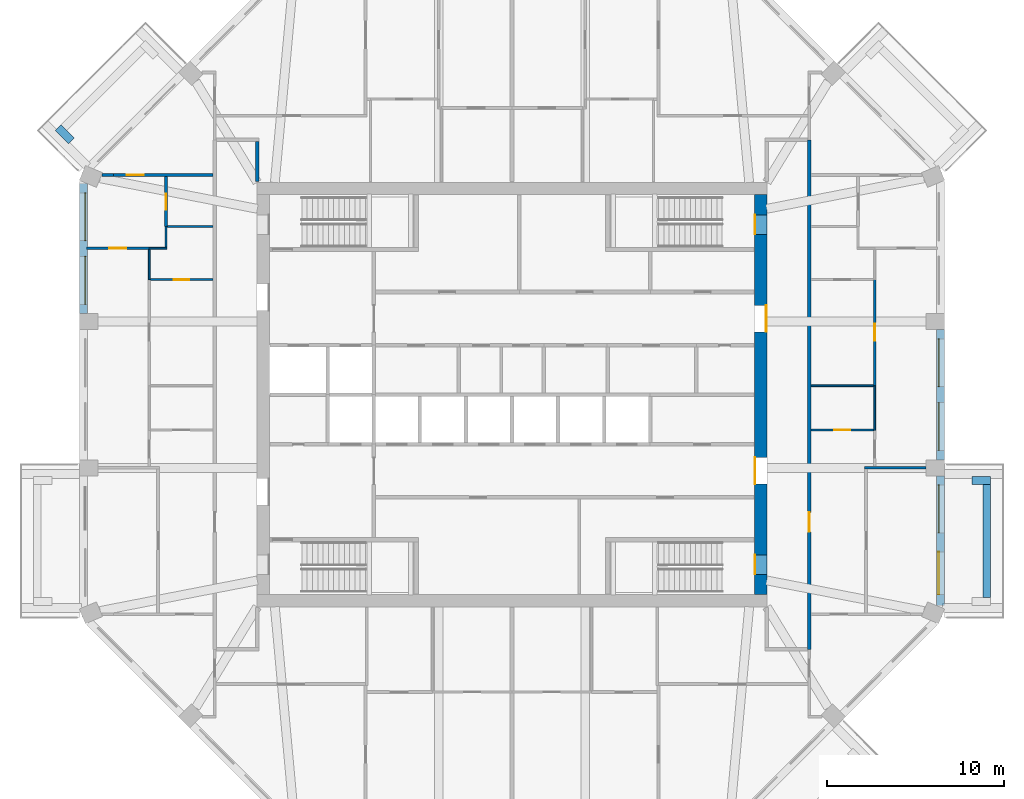
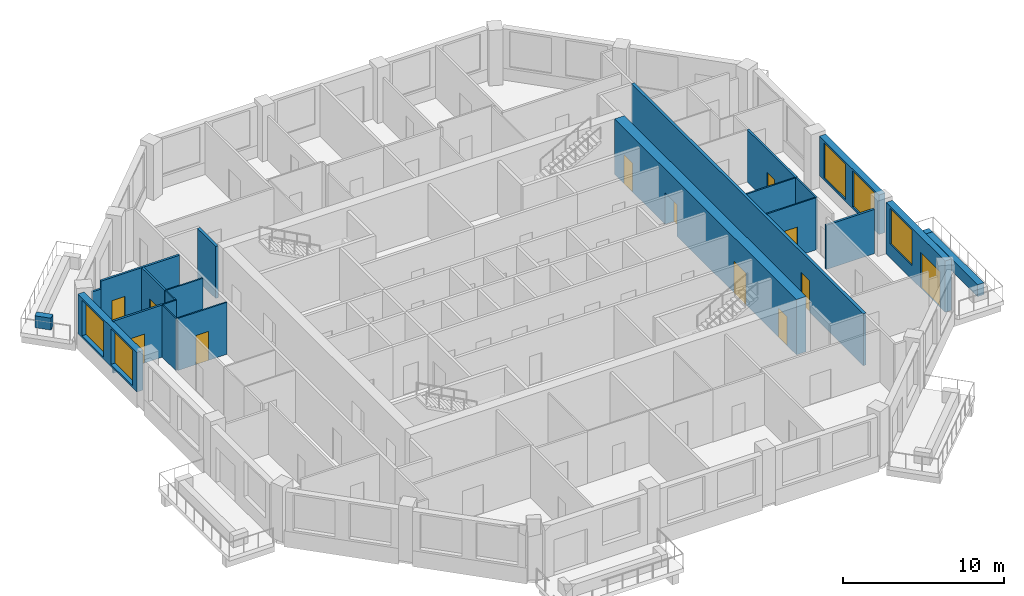
# One storey, part 6 of 10: 23 walls, 12 doors, 5 windows, 17 openings.
"""IFC4 building model written with IfcOpenShell, lengths in metres."""

from ifc_helpers import new_model, si_unit, direction, frame, frame_2d, origin, place, context, subcontext, project, spatial, rectangle, extrude, material, layer, layer_set, type_object, element, fill, save


model = new_model("IFC4")

# Units and contexts
model_context = context("Model", 3, precision=1e-05, world=origin(), true_north=direction((0.0, 1.0)))
body_context = subcontext(model_context, "Body", "Model", "MODEL_VIEW")
ifc_project = project(units=[si_unit("LENGTHUNIT", "METRE"), si_unit("AREAUNIT", "SQUARE_METRE"), si_unit("VOLUMEUNIT", "CUBIC_METRE"), si_unit("PLANEANGLEUNIT", "RADIAN"), si_unit("MASSUNIT", "GRAM", prefix="KILO")], contexts=[model_context])

# Site, building, storey
site_placement = place(None, origin())
site = spatial("IfcSite", under=ifc_project, at=site_placement, CompositionType="ELEMENT")
building_placement = place(site_placement, origin())
building = spatial("IfcBuilding", under=site, at=building_placement, Name="Msitu Wima Residences", CompositionType="ELEMENT")
storey_placement = place(building_placement, frame((0.0, 0.0, 191.699951171875)))
storey = spatial("IfcBuildingStorey", under=building, at=storey_placement, Name="L44", CompositionType="ELEMENT", Elevation=191.699951171875)

# Walls
ifc_material_1 = material(Name="Facing brick")
ifc_layer_1 = layer(ifc_material_1, 0.06494140625, Name="Facing brick")
ifc_material_2 = material(Name="Concrete C40/50", Category="concrete")
ifc_layer_2 = layer(ifc_material_2, 0.156005859375, Name="Concrete C40/50")
ifc_material_3 = material(Name="Waterproofing membrane")
ifc_layer_3 = layer(ifc_material_3, 0.00390625, Name="Waterproofing membrane")
ifc_material_4 = material(Name="Planting soil and planting")
ifc_layer_4 = layer(ifc_material_4, 0.22509765625, Name="Planting soil and planting")
ifc_layer_set_1 = layer_set([ifc_layer_1, ifc_layer_2, ifc_layer_3, ifc_layer_4], Name="Concrete C40/50")
wall_type_1 = type_object("IfcWallType", Name="Balcony planter PLANTER PL450", PredefinedType="USERDEFINED", material=ifc_layer_set_1)
wall_1_placement = place(storey_placement, frame((26.824951171875, -11.461669921875, 0.0), z_axis=(0.0, 0.0, 1.0), x_axis=(0.0, 1.0, 0.0)))
element("IfcWall", 1, at=wall_1_placement, inside=storey, type_object=wall_type_1, Name="Balcony planter E0 L44", ObjectType="PLANTER", PredefinedType="USERDEFINED", context=body_context, shape_type="SweptSolid", body=[
    extrude(rectangle(XDim=6.37451171875, YDim=0.449951171875, at=frame_2d((3.187255859375, 0.0))), origin(), (0.0, 0.0, 1.0), 0.900146484375),
])
for number, where, z_axis, x_axis, name in (
    (2, (26.0, -4.8623046875, 0.0), (0.0, 0.0, 1.0), (1.0, 0.0, 0.0), "Balcony planter E0 L44"),
    (3, (-24.901611328125, 14.338623046875, 0.0), (0.0, 0.0, 1.0), (-0.707106781187, 0.707106781187, 0.0), "Balcony planter NW1 L44"),
):
    element("IfcWall", number, at=place(storey_placement, frame(where, z_axis=z_axis, x_axis=x_axis)), inside=storey, type_object=wall_type_1, Name=name, ObjectType="PLANTER", PredefinedType="USERDEFINED", context=body_context, shape_type="SweptSolid", body=[
        extrude(rectangle(XDim=1.050048828125, YDim=0.449951171875, at=frame_2d((0.52490234375, 0.0))), origin(), (0.0, 0.0, 1.0), 0.900146484375),
    ])

# Wall, openings, door, window
ifc_material_5 = material(Name="Brick (red buff mix)", Category="masonry")
ifc_layer_5 = layer(ifc_material_5, 0.449951171875)
ifc_layer_set_2 = layer_set([ifc_layer_5], Name="Brick (red buff mix)")
wall_type_2 = type_object("IfcWallType", Name="Brick infill wall BW450", PredefinedType="SOLIDWALL", material=ifc_layer_set_2)
wall_2_placement = place(storey_placement, frame((24.22509765625, -11.9248046875, 0.0), z_axis=(0.0, 0.0, 1.0), x_axis=(0.0, 1.0, 0.0)))
wall_2 = element("IfcWall", 4, at=wall_2_placement, inside=storey, type_object=wall_type_2, Name="Brick infill wall L44 E0", PredefinedType="SOLIDWALL", context=body_context, shape_type="SweptSolid", body=[
    extrude(rectangle(XDim=7.337646484375, YDim=0.449951171875, at=frame_2d((3.6689453125, 0.0))), origin(), (0.0, 0.0, 1.0), 3.900146484375),
])
opening_1_placement = place(wall_2_placement, frame((0.63427734375, 0.0, 0.0)))
opening_1 = element("IfcOpeningElement", 5, at=opening_1_placement, cuts=wall_2, Name="Opening D43-45.001", PredefinedType="OPENING", context=body_context, shape_type="SweptSolid", body=[
    extrude(rectangle(XDim=2.39990234375, YDim=2.699951171875, at=frame_2d((1.199951171875, 1.35009765625))), frame((0.0, 0.23486328125, 0.0), z_axis=(0.0, -1.0, 0.0), x_axis=(1.0, 0.0, 0.0)), (0.0, 0.0, 1.0), 0.469970703125),
])
opening_2_placement = place(wall_2_placement, frame((4.11865234375, 0.0, 1.050048828125)))
opening_2 = element("IfcOpeningElement", 6, at=opening_2_placement, cuts=wall_2, Name="Opening W43-45.001", PredefinedType="OPENING", context=body_context, shape_type="SweptSolid", body=[
    extrude(rectangle(XDim=2.699951171875, YDim=2.699951171875, at=frame_2d((1.35009765625, 1.35009765625))), frame((0.0, 0.23486328125, 0.0), z_axis=(0.0, -1.0, 0.0), x_axis=(1.0, 0.0, 0.0)), (0.0, 0.0, 1.0), 0.469970703125),
])
ifc_material_6 = material(Name="Anodised aluminium, bronze finish, clear low-emissivity double glazing", Category="aluminium")
door_type_1 = type_object("IfcDoorType", Name="Balcony door D2400x2700", OperationType="SLIDING_TO_LEFT", PredefinedType="DOOR", material=ifc_material_6)
door_1_placement = place(opening_1_placement, origin())
door_1 = element("IfcDoor", 7, at=door_1_placement, inside=storey, type_object=door_type_1, Name="Balcony door L44 E0", OperationType="SINGLE_SWING_LEFT", OverallHeight=2.699951171875, OverallWidth=2.39990234375, PredefinedType="DOOR", context=body_context, shape_type="SweptSolid", body=[
    extrude(rectangle(XDim=2.39990234375, YDim=2.699951171875, at=frame_2d((1.199951171875, 1.35009765625))), frame((0.0, 0.1298828125, 0.0), z_axis=(0.0, -1.0, 0.0), x_axis=(1.0, 0.0, 0.0)), (0.0, 0.0, 1.0), 0.050048828125),
])
fill(opening_1, door_1)
window_type = type_object("IfcWindowType", Name="Window W2700x2700", PartitioningType="DOUBLE_PANEL_VERTICAL", PredefinedType="WINDOW", material=ifc_material_6)
window_1_placement = place(opening_2_placement, origin())
window_1 = element("IfcWindow", 8, at=window_1_placement, inside=storey, type_object=window_type, Name="Window L44 E0.2", OverallHeight=2.699951171875, OverallWidth=2.699951171875, PartitioningType="SINGLE_PANEL", PredefinedType="WINDOW", context=body_context, shape_type="SweptSolid", body=[
    extrude(rectangle(XDim=2.699951171875, YDim=2.699951171875, at=frame_2d((1.35009765625, 1.35009765625))), frame((0.0, 0.135009765625, 0.0), z_axis=(0.0, -1.0, 0.0), x_axis=(1.0, 0.0, 0.0)), (0.0, 0.0, 1.0), 0.06005859375),
])
fill(opening_2, window_1)

# Wall, openings, windows
wall_3_placement = place(storey_placement, frame((24.22509765625, -3.687255859375, 0.900146484375), z_axis=(0.0, 0.0, 1.0), x_axis=(0.0, 1.0, 0.0)))
wall_3 = element("IfcWall", 9, at=wall_3_placement, inside=storey, type_object=wall_type_2, Name="Brick infill wall L44 E1", PredefinedType="SOLIDWALL", context=body_context, shape_type="SweptSolid", body=[
    extrude(rectangle(XDim=7.37451171875, YDim=0.449951171875, at=frame_2d((3.687255859375, 0.0))), origin(), (0.0, 0.0, 1.0), 3.0),
])
opening_3_placement = place(wall_3_placement, frame((0.537353515625, 0.0, 0.14990234375)))
opening_3 = element("IfcOpeningElement", 10, at=opening_3_placement, cuts=wall_3, Name="Opening W43-45.002", PredefinedType="OPENING", context=body_context, shape_type="SweptSolid", body=[
    extrude(rectangle(XDim=2.699951171875, YDim=2.699951171875, at=frame_2d((1.35009765625, 1.35009765625))), frame((0.0, 0.23486328125, 0.0), z_axis=(0.0, -1.0, 0.0), x_axis=(1.0, 0.0, 0.0)), (0.0, 0.0, 1.0), 0.469970703125),
])
opening_4_placement = place(wall_3_placement, frame((4.13720703125, 0.0, 0.14990234375)))
opening_4 = element("IfcOpeningElement", 11, at=opening_4_placement, cuts=wall_3, Name="Opening W43-45.003", PredefinedType="OPENING", context=body_context, shape_type="SweptSolid", body=[
    extrude(rectangle(XDim=2.699951171875, YDim=2.699951171875, at=frame_2d((1.35009765625, 1.35009765625))), frame((0.0, 0.23486328125, 0.0), z_axis=(0.0, -1.0, 0.0), x_axis=(1.0, 0.0, 0.0)), (0.0, 0.0, 1.0), 0.469970703125),
])
window_2_placement = place(opening_3_placement, origin())
window_2 = element("IfcWindow", 12, at=window_2_placement, inside=storey, type_object=window_type, Name="Window L44 E1.1", OverallHeight=2.699951171875, OverallWidth=2.699951171875, PartitioningType="SINGLE_PANEL", PredefinedType="WINDOW", context=body_context, shape_type="SweptSolid", body=[
    extrude(rectangle(XDim=2.699951171875, YDim=2.699951171875, at=frame_2d((1.35009765625, 1.35009765625))), frame((0.0, 0.135009765625, 0.0), z_axis=(0.0, -1.0, 0.0), x_axis=(1.0, 0.0, 0.0)), (0.0, 0.0, 1.0), 0.06005859375),
])
fill(opening_3, window_2)
window_3_placement = place(opening_4_placement, origin())
window_3 = element("IfcWindow", 13, at=window_3_placement, inside=storey, type_object=window_type, Name="Window L44 E1.2", OverallHeight=2.699951171875, OverallWidth=2.699951171875, PartitioningType="SINGLE_PANEL", PredefinedType="WINDOW", context=body_context, shape_type="SweptSolid", body=[
    extrude(rectangle(XDim=2.699951171875, YDim=2.699951171875, at=frame_2d((1.35009765625, 1.35009765625))), frame((0.0, 0.135009765625, 0.0), z_axis=(0.0, -1.0, 0.0), x_axis=(1.0, 0.0, 0.0)), (0.0, 0.0, 1.0), 0.06005859375),
])
fill(opening_4, window_3)

wall_4_placement = place(storey_placement, frame((-24.22509765625, 11.9248046875, 0.900146484375), z_axis=(0.0, 0.0, 1.0), x_axis=(0.0, -1.0, 0.0)))
wall_4 = element("IfcWall", 14, at=wall_4_placement, inside=storey, type_object=wall_type_2, Name="Brick infill wall L44 W0", PredefinedType="SOLIDWALL", context=body_context, shape_type="SweptSolid", body=[
    extrude(rectangle(XDim=7.337646484375, YDim=0.449951171875, at=frame_2d((3.6689453125, 0.0))), origin(), (0.0, 0.0, 1.0), 3.0),
])
opening_5_placement = place(wall_4_placement, frame((0.518798828125, 0.0, 0.14990234375)))
opening_5 = element("IfcOpeningElement", 15, at=opening_5_placement, cuts=wall_4, Name="Opening W43-45.029", PredefinedType="OPENING", context=body_context, shape_type="SweptSolid", body=[
    extrude(rectangle(XDim=2.699951171875, YDim=2.699951171875, at=frame_2d((1.35009765625, 1.35009765625))), frame((0.0, 0.23486328125, 0.0), z_axis=(0.0, -1.0, 0.0), x_axis=(1.0, 0.0, 0.0)), (0.0, 0.0, 1.0), 0.469970703125),
])
opening_6_placement = place(wall_4_placement, frame((4.11865234375, 0.0, 0.14990234375)))
opening_6 = element("IfcOpeningElement", 16, at=opening_6_placement, cuts=wall_4, Name="Opening W43-45.030", PredefinedType="OPENING", context=body_context, shape_type="SweptSolid", body=[
    extrude(rectangle(XDim=2.699951171875, YDim=2.699951171875, at=frame_2d((1.35009765625, 1.35009765625))), frame((0.0, 0.23486328125, 0.0), z_axis=(0.0, -1.0, 0.0), x_axis=(1.0, 0.0, 0.0)), (0.0, 0.0, 1.0), 0.469970703125),
])
window_4_placement = place(opening_5_placement, origin())
window_4 = element("IfcWindow", 17, at=window_4_placement, inside=storey, type_object=window_type, Name="Window L44 W0.1", OverallHeight=2.699951171875, OverallWidth=2.699951171875, PartitioningType="SINGLE_PANEL", PredefinedType="WINDOW", context=body_context, shape_type="SweptSolid", body=[
    extrude(rectangle(XDim=2.699951171875, YDim=2.699951171875, at=frame_2d((1.35009765625, 1.35009765625))), frame((0.0, 0.135009765625, 0.0), z_axis=(0.0, -1.0, 0.0), x_axis=(1.0, 0.0, 0.0)), (0.0, 0.0, 1.0), 0.06005859375),
])
fill(opening_5, window_4)
window_5_placement = place(opening_6_placement, origin())
window_5 = element("IfcWindow", 18, at=window_5_placement, inside=storey, type_object=window_type, Name="Window L44 W0.2", OverallHeight=2.699951171875, OverallWidth=2.699951171875, PartitioningType="SINGLE_PANEL", PredefinedType="WINDOW", context=body_context, shape_type="SweptSolid", body=[
    extrude(rectangle(XDim=2.699951171875, YDim=2.699951171875, at=frame_2d((1.35009765625, 1.35009765625))), frame((0.0, 0.135009765625, 0.0), z_axis=(0.0, -1.0, 0.0), x_axis=(1.0, 0.0, 0.0)), (0.0, 0.0, 1.0), 0.06005859375),
])
fill(opening_6, window_5)

# Wall, openings, doors
ifc_material_7 = material(Name="Concrete C60/75", Category="concrete")
ifc_layer_6 = layer(ifc_material_7, 0.699951171875)
ifc_layer_set_3 = layer_set([ifc_layer_6], Name="Concrete C60/75")
wall_type_3 = type_object("IfcWallType", Name="Core wall CW700 C60/75", PredefinedType="SHEAR", material=ifc_layer_set_3)
wall_5_placement = place(storey_placement, frame((14.050048828125, -11.300048828125, 0.0), z_axis=(0.0, 0.0, 1.0), x_axis=(0.0, 1.0, 0.0)))
wall_5 = element("IfcWall", 19, at=wall_5_placement, inside=storey, type_object=wall_type_3, Name="Core wall", PredefinedType="SHEAR", context=body_context, shape_type="SweptSolid", body=[
    extrude(rectangle(XDim=22.60009765625, YDim=0.699951171875, at=frame_2d((11.300048828125, 0.0))), origin(), (0.0, 0.0, 1.0), 4.199951171875),
])
opening_7_placement = place(wall_5_placement, frame((20.35009765625, 0.0, 0.0)))
opening_7 = element("IfcOpeningElement", 20, at=opening_7_placement, cuts=wall_5, Name="Opening D43-45.073", PredefinedType="OPENING", context=body_context, shape_type="SweptSolid", body=[
    extrude(rectangle(XDim=1.10009765625, YDim=2.199951171875, at=frame_2d((0.550048828125, 1.10009765625))), frame((0.0, 0.35986328125, 0.0), z_axis=(0.0, -1.0, 0.0), x_axis=(1.0, 0.0, 0.0)), (0.0, 0.0, 1.0), 0.719970703125),
])
opening_8_placement = place(wall_5_placement, frame((1.14990234375, 0.0, 0.0)))
opening_8 = element("IfcOpeningElement", 21, at=opening_8_placement, cuts=wall_5, Name="Opening D43-45.074", PredefinedType="OPENING", context=body_context, shape_type="SweptSolid", body=[
    extrude(rectangle(XDim=1.10009765625, YDim=2.199951171875, at=frame_2d((0.550048828125, 1.10009765625))), frame((0.0, 0.35986328125, 0.0), z_axis=(0.0, -1.0, 0.0), x_axis=(1.0, 0.0, 0.0)), (0.0, 0.0, 1.0), 0.719970703125),
])
opening_9_placement = place(wall_5_placement, frame((14.85009765625, 0.0, 0.0)))
opening_9 = element("IfcOpeningElement", 22, at=opening_9_placement, cuts=wall_5, Name="Opening D43-45.060", PredefinedType="OPENING", context=body_context, shape_type="SweptSolid", body=[
    extrude(rectangle(XDim=1.5, YDim=2.39990234375, at=frame_2d((0.75, 1.199951171875))), frame((0.0, 0.35986328125, 0.0), z_axis=(0.0, -1.0, 0.0), x_axis=(1.0, 0.0, 0.0)), (0.0, 0.0, 1.0), 0.719970703125),
])
opening_10_placement = place(wall_5_placement, frame((6.25, 0.0, 0.0)))
opening_10 = element("IfcOpeningElement", 23, at=opening_10_placement, cuts=wall_5, Name="Opening D43-45.061", PredefinedType="OPENING", context=body_context, shape_type="SweptSolid", body=[
    extrude(rectangle(XDim=1.5, YDim=2.39990234375, at=frame_2d((0.75, 1.199951171875))), frame((0.0, 0.35986328125, 0.0), z_axis=(0.0, -1.0, 0.0), x_axis=(1.0, 0.0, 0.0)), (0.0, 0.0, 1.0), 0.719970703125),
])
ifc_material_8 = material(Name="Steel framed glazed door, fire resisting", Category="steel")
door_type_2 = type_object("IfcDoorType", Name="Lobby door D07 1500x2400", OperationType="DOUBLE_DOOR_SINGLE_SWING", PredefinedType="DOOR", material=ifc_material_8)
door_2_placement = place(opening_9_placement, origin())
door_2 = element("IfcDoor", 24, at=door_2_placement, inside=storey, type_object=door_type_2, Name="Lobby door", OperationType="DOUBLE_DOOR_SINGLE_SWING", OverallHeight=2.39990234375, OverallWidth=1.5, PredefinedType="DOOR", context=body_context, shape_type="SweptSolid", body=[
    extrude(rectangle(XDim=1.5, YDim=2.39990234375, at=frame_2d((0.75, 1.199951171875))), frame((0.0, -0.294921875, 0.0), z_axis=(0.0, -1.0, 0.0), x_axis=(1.0, 0.0, 0.0)), (0.0, 0.0, 1.0), 0.050048828125),
])
fill(opening_9, door_2)
door_3_placement = place(opening_10_placement, origin())
door_3 = element("IfcDoor", 25, at=door_3_placement, inside=storey, type_object=door_type_2, Name="Lobby door", OperationType="DOUBLE_DOOR_SINGLE_SWING", OverallHeight=2.39990234375, OverallWidth=1.5, PredefinedType="DOOR", context=body_context, shape_type="SweptSolid", body=[
    extrude(rectangle(XDim=1.5, YDim=2.39990234375, at=frame_2d((0.75, 1.199951171875))), frame((0.0, 0.34521484375, 0.0), z_axis=(0.0, -1.0, 0.0), x_axis=(1.0, 0.0, 0.0)), (0.0, 0.0, 1.0), 0.050048828125),
])
fill(opening_10, door_3)
ifc_material_9 = material(Name="Steel door, fire resisting, panic bar", Category="steel")
door_type_3 = type_object("IfcDoorType", Name="Stair door D06 1100x2200", OperationType="SINGLE_SWING_LEFT", PredefinedType="DOOR", material=ifc_material_9)
door_4_placement = place(opening_7_placement, origin())
door_4 = element("IfcDoor", 26, at=door_4_placement, inside=storey, type_object=door_type_3, Name="Stair door", OperationType="SINGLE_SWING_LEFT", OverallHeight=2.199951171875, OverallWidth=1.10009765625, PredefinedType="DOOR", context=body_context, shape_type="SweptSolid", body=[
    extrude(rectangle(XDim=1.10009765625, YDim=2.199951171875, at=frame_2d((0.550048828125, 1.10009765625))), frame((0.0, 0.34521484375, 0.0), z_axis=(0.0, -1.0, 0.0), x_axis=(1.0, 0.0, 0.0)), (0.0, 0.0, 1.0), 0.050048828125),
])
fill(opening_7, door_4)
door_5_placement = place(opening_8_placement, origin())
door_5 = element("IfcDoor", 27, at=door_5_placement, inside=storey, type_object=door_type_3, Name="Stair door", OperationType="SINGLE_SWING_RIGHT", OverallHeight=2.199951171875, OverallWidth=1.10009765625, PredefinedType="DOOR", context=body_context, shape_type="SweptSolid", body=[
    extrude(rectangle(XDim=1.10009765625, YDim=2.199951171875, at=frame_2d((0.550048828125, 1.10009765625))), frame((0.0, 0.34521484375, 0.0), z_axis=(0.0, -1.0, 0.0), x_axis=(1.0, 0.0, 0.0)), (0.0, 0.0, 1.0), 0.050048828125),
])
fill(opening_8, door_5)

# Wall
ifc_material_10 = material(Name="Plaster")
ifc_layer_7 = layer(ifc_material_10, 0.011962890625, Name="Plaster")
ifc_material_11 = material(Name="Concrete blockwork", Category="masonry")
ifc_layer_8 = layer(ifc_material_11, 0.176025390625, Name="Concrete blockwork")
ifc_layer_9 = layer(ifc_material_10, 0.011962890625, Name="Plaster")
ifc_layer_set_4 = layer_set([ifc_layer_7, ifc_layer_8, ifc_layer_9], Name="Concrete blockwork")
wall_type_4 = type_object("IfcWallType", Name="Corridor wall FW200", PredefinedType="PARTITIONING", material=ifc_layer_set_4)
wall_6_placement = place(storey_placement, frame((-14.39990234375, 12.030029296875, 0.0), z_axis=(0.0, 0.0, 1.0), x_axis=(0.0, 1.0, 0.0)))
element("IfcWall", 28, at=wall_6_placement, inside=storey, type_object=wall_type_4, Name="Corridor wall", PredefinedType="PARTITIONING", context=body_context, shape_type="SweptSolid", body=[
    extrude(rectangle(XDim=2.27001953125, YDim=0.199951171875, at=frame_2d((1.135009765625, 0.0))), origin(), (0.0, 0.0, 1.0), 3.949951171875),
])

# Wall, opening, door
wall_7_placement = place(storey_placement, frame((16.800048828125, -14.39990234375, 0.0), z_axis=(0.0, 0.0, 1.0), x_axis=(0.0, 1.0, 0.0)))
wall_7 = element("IfcWall", 29, at=wall_7_placement, inside=storey, type_object=wall_type_4, Name="Corridor wall", PredefinedType="PARTITIONING", context=body_context, shape_type="SweptSolid", body=[
    extrude(rectangle(XDim=28.7998046875, YDim=0.199951171875, at=frame_2d((14.39990234375, 0.0))), origin(), (0.0, 0.0, 1.0), 3.949951171875),
])
opening_11_placement = place(wall_7_placement, frame((6.64990234375, 0.0, 0.0)))
opening_11 = element("IfcOpeningElement", 30, at=opening_11_placement, cuts=wall_7, Name="Opening D43-45.008", PredefinedType="OPENING", context=body_context, shape_type="SweptSolid", body=[
    extrude(rectangle(XDim=1.10009765625, YDim=2.39990234375, at=frame_2d((0.550048828125, 1.199951171875))), frame((0.0, 0.10986328125, 0.0), z_axis=(0.0, -1.0, 0.0), x_axis=(1.0, 0.0, 0.0)), (0.0, 0.0, 1.0), 0.219970703125),
])
ifc_material_12 = material(Name="Timber flush door, fire resisting, self-closing", Category="wood")
door_type_4 = type_object("IfcDoorType", Name="Flat entrance door D01 1100x2400", OperationType="SINGLE_SWING_LEFT", PredefinedType="DOOR", material=ifc_material_12)
door_6_placement = place(opening_11_placement, origin())
door_6 = element("IfcDoor", 31, at=door_6_placement, inside=storey, type_object=door_type_4, Name="Flat entrance door", OperationType="SINGLE_SWING_RIGHT", OverallHeight=2.39990234375, OverallWidth=1.10009765625, PredefinedType="DOOR", context=body_context, shape_type="SweptSolid", body=[
    extrude(rectangle(XDim=1.10009765625, YDim=2.39990234375, at=frame_2d((0.550048828125, 1.199951171875))), frame((0.0, 0.02490234375, 0.0), z_axis=(0.0, -1.0, 0.0), x_axis=(1.0, 0.0, 0.0)), (0.0, 0.0, 1.0), 0.050048828125),
])
fill(opening_11, door_6)

ifc_layer_10 = layer(ifc_material_10, 0.011962890625, Name="Plaster")
ifc_layer_11 = layer(ifc_material_11, 0.1259765625, Name="Concrete blockwork")
ifc_layer_12 = layer(ifc_material_10, 0.011962890625, Name="Plaster")
ifc_layer_set_5 = layer_set([ifc_layer_10, ifc_layer_11, ifc_layer_12], Name="Concrete blockwork")
wall_type_5 = type_object("IfcWallType", Name="Partition PW150", PredefinedType="PARTITIONING", material=ifc_layer_set_5)
wall_8_placement = place(storey_placement, frame((-24.054931640625, 8.27001953125, 0.0), z_axis=(0.0, 0.0, 1.0), x_axis=(1.0, 0.0, 0.0)))
wall_8 = element("IfcWall", 32, at=wall_8_placement, inside=storey, type_object=wall_type_5, Name="Partition", PredefinedType="PARTITIONING", context=body_context, shape_type="SweptSolid", body=[
    extrude(rectangle(XDim=3.554931640625, YDim=0.14990234375, at=frame_2d((1.77734375, 0.0))), origin(), (0.0, 0.0, 1.0), 3.949951171875),
])
opening_12_placement = place(wall_8_placement, frame((1.300048828125, 0.0, 0.0)))
opening_12 = element("IfcOpeningElement", 33, at=opening_12_placement, cuts=wall_8, Name="Opening D43-45.045", PredefinedType="OPENING", context=body_context, shape_type="SweptSolid", body=[
    extrude(rectangle(XDim=0.949951171875, YDim=2.199951171875, at=frame_2d((0.47509765625, 1.10009765625))), frame((0.0, 0.0849609375, 0.0), z_axis=(0.0, -1.0, 0.0), x_axis=(1.0, 0.0, 0.0)), (0.0, 0.0, 1.0), 0.169921875),
])
ifc_material_13 = material(Name="Timber flush door", Category="wood")
door_type_5 = type_object("IfcDoorType", Name="Room door D12 950x2200", OperationType="SINGLE_SWING_LEFT", PredefinedType="DOOR", material=ifc_material_13)
door_7_placement = place(opening_12_placement, origin())
door_7 = element("IfcDoor", 34, at=door_7_placement, inside=storey, type_object=door_type_5, Name="Room door", OperationType="SINGLE_SWING_LEFT", OverallHeight=2.199951171875, OverallWidth=0.949951171875, PredefinedType="DOOR", context=body_context, shape_type="SweptSolid", body=[
    extrude(rectangle(XDim=0.949951171875, YDim=2.199951171875, at=frame_2d((0.47509765625, 1.10009765625))), frame((0.0, 0.02490234375, 0.0), z_axis=(0.0, -1.0, 0.0), x_axis=(1.0, 0.0, 0.0)), (0.0, 0.0, 1.0), 0.050048828125),
])
fill(opening_12, door_7)

# Wall
wall_9_placement = place(storey_placement, frame((-23.169677734375, 12.409912109375, 0.0), z_axis=(0.0, 0.0, 1.0), x_axis=(1.0, 0.0, 0.0)))
element("IfcWall", 35, at=wall_9_placement, inside=storey, type_object=wall_type_5, Name="Partition", PredefinedType="PARTITIONING", context=body_context, shape_type="SweptSolid", body=[
    extrude(rectangle(XDim=0.640380859375, YDim=0.14990234375, at=frame_2d((0.3203125, 0.0))), origin(), (0.0, 0.0, 1.0), 3.35009765625),
])

# Wall, opening, door
wall_10_placement = place(storey_placement, frame((-22.529296875, 12.409912109375, 0.0), z_axis=(0.0, 0.0, 1.0), x_axis=(1.0, 0.0, 0.0)))
wall_10 = element("IfcWall", 36, at=wall_10_placement, inside=storey, type_object=wall_type_5, Name="Partition", PredefinedType="PARTITIONING", context=body_context, shape_type="SweptSolid", body=[
    extrude(rectangle(XDim=5.62939453125, YDim=0.14990234375, at=frame_2d((2.814697265625, 0.0))), origin(), (0.0, 0.0, 1.0), 3.949951171875),
])
opening_13_placement = place(wall_10_placement, frame((0.759521484375, 0.0, 0.0)))
opening_13 = element("IfcOpeningElement", 37, at=opening_13_placement, cuts=wall_10, Name="Opening D43-45.046", PredefinedType="OPENING", context=body_context, shape_type="SweptSolid", body=[
    extrude(rectangle(XDim=0.949951171875, YDim=2.199951171875, at=frame_2d((0.47509765625, 1.10009765625))), frame((0.0, 0.0849609375, 0.0), z_axis=(0.0, -1.0, 0.0), x_axis=(1.0, 0.0, 0.0)), (0.0, 0.0, 1.0), 0.169921875),
])
door_8_placement = place(opening_13_placement, origin())
door_8 = element("IfcDoor", 38, at=door_8_placement, inside=storey, type_object=door_type_5, Name="Room door", OperationType="SINGLE_SWING_LEFT", OverallHeight=2.199951171875, OverallWidth=0.949951171875, PredefinedType="DOOR", context=body_context, shape_type="SweptSolid", body=[
    extrude(rectangle(XDim=0.949951171875, YDim=2.199951171875, at=frame_2d((0.47509765625, 1.10009765625))), frame((0.0, 0.02490234375, 0.0), z_axis=(0.0, -1.0, 0.0), x_axis=(1.0, 0.0, 0.0)), (0.0, 0.0, 1.0), 0.050048828125),
])
fill(opening_13, door_8)

wall_11_placement = place(storey_placement, frame((-19.550048828125, 9.5, 0.0), z_axis=(0.0, 0.0, 1.0), x_axis=(0.0, 1.0, 0.0)))
wall_11 = element("IfcWall", 39, at=wall_11_placement, inside=storey, type_object=wall_type_5, Name="Partition", PredefinedType="PARTITIONING", context=body_context, shape_type="SweptSolid", body=[
    extrude(rectangle(XDim=2.8349609375, YDim=0.14990234375, at=frame_2d((1.41748046875, 0.0))), origin(), (0.0, 0.0, 1.0), 3.949951171875),
])
opening_14_placement = place(wall_11_placement, frame((0.949951171875, 0.0, 0.0)))
opening_14 = element("IfcOpeningElement", 40, at=opening_14_placement, cuts=wall_11, Name="Opening D43-45.033", PredefinedType="OPENING", context=body_context, shape_type="SweptSolid", body=[
    extrude(rectangle(XDim=0.89990234375, YDim=2.199951171875, at=frame_2d((0.449951171875, 1.10009765625))), frame((0.0, 0.0849609375, 0.0), z_axis=(0.0, -1.0, 0.0), x_axis=(1.0, 0.0, 0.0)), (0.0, 0.0, 1.0), 0.169921875),
])
door_type_6 = type_object("IfcDoorType", Name="Service door D05 900x2200", OperationType="SINGLE_SWING_LEFT", PredefinedType="DOOR", material=ifc_material_13)
door_9_placement = place(opening_14_placement, origin())
door_9 = element("IfcDoor", 41, at=door_9_placement, inside=storey, type_object=door_type_6, Name="Service door", OperationType="SINGLE_SWING_RIGHT", OverallHeight=2.199951171875, OverallWidth=0.89990234375, PredefinedType="DOOR", context=body_context, shape_type="SweptSolid", body=[
    extrude(rectangle(XDim=0.89990234375, YDim=2.199951171875, at=frame_2d((0.449951171875, 1.10009765625))), frame((0.0, 0.02490234375, 0.0), z_axis=(0.0, -1.0, 0.0), x_axis=(1.0, 0.0, 0.0)), (0.0, 0.0, 1.0), 0.050048828125),
])
fill(opening_14, door_9)

# Wall
wall_12_placement = place(storey_placement, frame((19.925048828125, -4.139892578125, 0.0), z_axis=(0.0, 0.0, 1.0), x_axis=(1.0, 0.0, 0.0)))
element("IfcWall", 42, at=wall_12_placement, inside=storey, type_object=wall_type_5, Name="Partition", PredefinedType="PARTITIONING", context=body_context, shape_type="SweptSolid", body=[
    extrude(rectangle(XDim=3.474853515625, YDim=0.14990234375, at=frame_2d((1.7373046875, 0.0))), origin(), (0.0, 0.0, 1.0), 3.35009765625),
])

# Wall, opening, door
wall_13_placement = place(storey_placement, frame((20.5, 0.5, 0.0), z_axis=(0.0, 0.0, 1.0), x_axis=(0.0, 1.0, 0.0)))
wall_13 = element("IfcWall", 43, at=wall_13_placement, inside=storey, type_object=wall_type_5, Name="Partition", PredefinedType="PARTITIONING", context=body_context, shape_type="SweptSolid", body=[
    extrude(rectangle(XDim=6.0, YDim=0.14990234375, at=frame_2d((3.0, 0.0))), origin(), (0.0, 0.0, 1.0), 3.949951171875),
])
opening_15_placement = place(wall_13_placement, frame((2.550048828125, 0.0, 0.0)))
opening_15 = element("IfcOpeningElement", 44, at=opening_15_placement, cuts=wall_13, Name="Opening D43-45.010", PredefinedType="OPENING", context=body_context, shape_type="SweptSolid", body=[
    extrude(rectangle(XDim=0.949951171875, YDim=2.199951171875, at=frame_2d((0.47509765625, 1.10009765625))), frame((0.0, 0.0849609375, 0.0), z_axis=(0.0, -1.0, 0.0), x_axis=(1.0, 0.0, 0.0)), (0.0, 0.0, 1.0), 0.169921875),
])
door_10_placement = place(opening_15_placement, origin())
door_10 = element("IfcDoor", 45, at=door_10_placement, inside=storey, type_object=door_type_5, Name="Room door", OperationType="SINGLE_SWING_LEFT", OverallHeight=2.199951171875, OverallWidth=0.949951171875, PredefinedType="DOOR", context=body_context, shape_type="SweptSolid", body=[
    extrude(rectangle(XDim=0.949951171875, YDim=2.199951171875, at=frame_2d((0.47509765625, 1.10009765625))), frame((0.0, 0.02490234375, 0.0), z_axis=(0.0, -1.0, 0.0), x_axis=(1.0, 0.0, 0.0)), (0.0, 0.0, 1.0), 0.050048828125),
])
fill(opening_15, door_10)

# Wall
ifc_material_14 = material(Name="Ceramic tiles")
ifc_layer_13 = layer(ifc_material_14, 0.008056640625, Name="Ceramic tiles")
ifc_material_15 = material(Name="Moisture-resistant board")
ifc_layer_14 = layer(ifc_material_15, 0.012451171875, Name="Moisture-resistant board")
ifc_material_16 = material(Name="Light-gauge stud framing with mineral wool")
ifc_layer_15 = layer(ifc_material_16, 0.06689453125, Name="Light-gauge stud framing with mineral wool")
ifc_layer_16 = layer(ifc_material_15, 0.012451171875, Name="Moisture-resistant board")
ifc_layer_set_6 = layer_set([ifc_layer_13, ifc_layer_14, ifc_layer_15, ifc_layer_16], Name="Light-gauge stud framing with mineral wool")
wall_type_6 = type_object("IfcWallType", Name="Wet wall PW100", PredefinedType="PARTITIONING", material=ifc_layer_set_6)
wall_14_placement = place(storey_placement, frame((-20.5, 6.5, 0.0), z_axis=(0.0, 0.0, 1.0), x_axis=(0.0, 1.0, 0.0)))
element("IfcWall", 46, at=wall_14_placement, inside=storey, type_object=wall_type_6, Name="Wet wall", PredefinedType="PARTITIONING", context=body_context, shape_type="SweptSolid", body=[
    extrude(rectangle(XDim=1.695068359375, YDim=0.10009765625, at=frame_2d((0.84765625, 0.0))), origin(), (0.0, 0.0, 1.0), 3.949951171875),
])

# Wall, opening, door
wall_15_placement = place(storey_placement, frame((-20.425048828125, 6.5, 0.0), z_axis=(0.0, 0.0, 1.0), x_axis=(1.0, 0.0, 0.0)))
wall_15 = element("IfcWall", 47, at=wall_15_placement, inside=storey, type_object=wall_type_6, Name="Wet wall", PredefinedType="PARTITIONING", context=body_context, shape_type="SweptSolid", body=[
    extrude(rectangle(XDim=3.525146484375, YDim=0.10009765625, at=frame_2d((1.7626953125, 0.0))), origin(), (0.0, 0.0, 1.0), 3.949951171875),
])
opening_16_placement = place(wall_15_placement, frame((1.300048828125, 0.0, 0.0)))
opening_16 = element("IfcOpeningElement", 48, at=opening_16_placement, cuts=wall_15, Name="Opening D43-45.032", PredefinedType="OPENING", context=body_context, shape_type="SweptSolid", body=[
    extrude(rectangle(XDim=0.89990234375, YDim=2.199951171875, at=frame_2d((0.449951171875, 1.10009765625))), frame((0.0, 0.06005859375, 0.0), z_axis=(0.0, -1.0, 0.0), x_axis=(1.0, 0.0, 0.0)), (0.0, 0.0, 1.0), 0.1201171875),
])
door_11_placement = place(opening_16_placement, origin())
door_11 = element("IfcDoor", 49, at=door_11_placement, inside=storey, type_object=door_type_6, Name="Service door", OperationType="SINGLE_SWING_RIGHT", OverallHeight=2.199951171875, OverallWidth=0.89990234375, PredefinedType="DOOR", context=body_context, shape_type="SweptSolid", body=[
    extrude(rectangle(XDim=0.89990234375, YDim=2.199951171875, at=frame_2d((0.449951171875, 1.10009765625))), frame((0.0, 0.02490234375, 0.0), z_axis=(0.0, -1.0, 0.0), x_axis=(1.0, 0.0, 0.0)), (0.0, 0.0, 1.0), 0.050048828125),
])
fill(opening_16, door_11)

# Walls
wall_16_placement = place(storey_placement, frame((-20.5, 8.27001953125, 0.0), z_axis=(0.0, 0.0, 1.0), x_axis=(1.0, 0.0, 0.0)))
element("IfcWall", 50, at=wall_16_placement, inside=storey, type_object=wall_type_6, Name="Wet wall", PredefinedType="PARTITIONING", context=body_context, shape_type="SweptSolid", body=[
    extrude(rectangle(XDim=1.0, YDim=0.10009765625, at=frame_2d((0.5, 0.0))), origin(), (0.0, 0.0, 1.0), 3.949951171875),
])
wall_17_placement = place(storey_placement, frame((-19.550048828125, 8.320068359375, 0.0), z_axis=(0.0, 0.0, 1.0), x_axis=(0.0, 1.0, 0.0)))
element("IfcWall", 51, at=wall_17_placement, inside=storey, type_object=wall_type_6, Name="Wet wall", PredefinedType="PARTITIONING", context=body_context, shape_type="SweptSolid", body=[
    extrude(rectangle(XDim=1.179931640625, YDim=0.10009765625, at=frame_2d((0.58984375, 0.0))), origin(), (0.0, 0.0, 1.0), 3.949951171875),
])
wall_18_placement = place(storey_placement, frame((-19.47509765625, 9.5, 0.0), z_axis=(0.0, 0.0, 1.0), x_axis=(1.0, 0.0, 0.0)))
element("IfcWall", 52, at=wall_18_placement, inside=storey, type_object=wall_type_6, Name="Wet wall", PredefinedType="PARTITIONING", context=body_context, shape_type="SweptSolid", body=[
    extrude(rectangle(XDim=2.5751953125, YDim=0.10009765625, at=frame_2d((1.28759765625, 0.0))), origin(), (0.0, 0.0, 1.0), 3.949951171875),
])

# Wall, opening, door
wall_19_placement = place(storey_placement, frame((16.89990234375, -2.0, 0.0), z_axis=(0.0, 0.0, 1.0), x_axis=(1.0, 0.0, 0.0)))
wall_19 = element("IfcWall", 53, at=wall_19_placement, inside=storey, type_object=wall_type_6, Name="Wet wall", PredefinedType="PARTITIONING", context=body_context, shape_type="SweptSolid", body=[
    extrude(rectangle(XDim=3.550048828125, YDim=0.10009765625, at=frame_2d((1.77490234375, 0.0))), origin(), (0.0, 0.0, 1.0), 3.949951171875),
])
opening_17_placement = place(wall_19_placement, frame((1.300048828125, 0.0, 0.0)))
opening_17 = element("IfcOpeningElement", 54, at=opening_17_placement, cuts=wall_19, Name="Opening D43-45.020", PredefinedType="OPENING", context=body_context, shape_type="SweptSolid", body=[
    extrude(rectangle(XDim=0.89990234375, YDim=2.199951171875, at=frame_2d((0.449951171875, 1.10009765625))), frame((0.0, 0.06005859375, 0.0), z_axis=(0.0, -1.0, 0.0), x_axis=(1.0, 0.0, 0.0)), (0.0, 0.0, 1.0), 0.1201171875),
])
ifc_material_17 = material(Name="Timber flush door, moisture resistant", Category="wood")
door_type_7 = type_object("IfcDoorType", Name="Bathroom door D03 900x2200", OperationType="SINGLE_SWING_LEFT", PredefinedType="DOOR", material=ifc_material_17)
door_12_placement = place(opening_17_placement, origin())
door_12 = element("IfcDoor", 55, at=door_12_placement, inside=storey, type_object=door_type_7, Name="Bathroom door", OperationType="SINGLE_SWING_LEFT", OverallHeight=2.199951171875, OverallWidth=0.89990234375, PredefinedType="DOOR", context=body_context, shape_type="SweptSolid", body=[
    extrude(rectangle(XDim=0.89990234375, YDim=2.199951171875, at=frame_2d((0.449951171875, 1.10009765625))), frame((0.0, 0.02490234375, 0.0), z_axis=(0.0, -1.0, 0.0), x_axis=(1.0, 0.0, 0.0)), (0.0, 0.0, 1.0), 0.050048828125),
])
fill(opening_17, door_12)

# Walls
wall_20_placement = place(storey_placement, frame((16.89990234375, 0.5, 0.0), z_axis=(0.0, 0.0, 1.0), x_axis=(1.0, 0.0, 0.0)))
element("IfcWall", 56, at=wall_20_placement, inside=storey, type_object=wall_type_6, Name="Wet wall", PredefinedType="PARTITIONING", context=body_context, shape_type="SweptSolid", body=[
    extrude(rectangle(XDim=3.525146484375, YDim=0.10009765625, at=frame_2d((1.7626953125, 0.0))), origin(), (0.0, 0.0, 1.0), 3.949951171875),
])
wall_21_placement = place(storey_placement, frame((20.5, -2.02001953125, 0.0), z_axis=(0.0, 0.0, 1.0), x_axis=(0.0, 1.0, 0.0)))
element("IfcWall", 57, at=wall_21_placement, inside=storey, type_object=wall_type_6, Name="Wet wall", PredefinedType="PARTITIONING", context=body_context, shape_type="SweptSolid", body=[
    extrude(rectangle(XDim=2.52001953125, YDim=0.10009765625, at=frame_2d((1.260009765625, 0.0))), origin(), (0.0, 0.0, 1.0), 3.949951171875),
])

save(model, "model.ifc")
